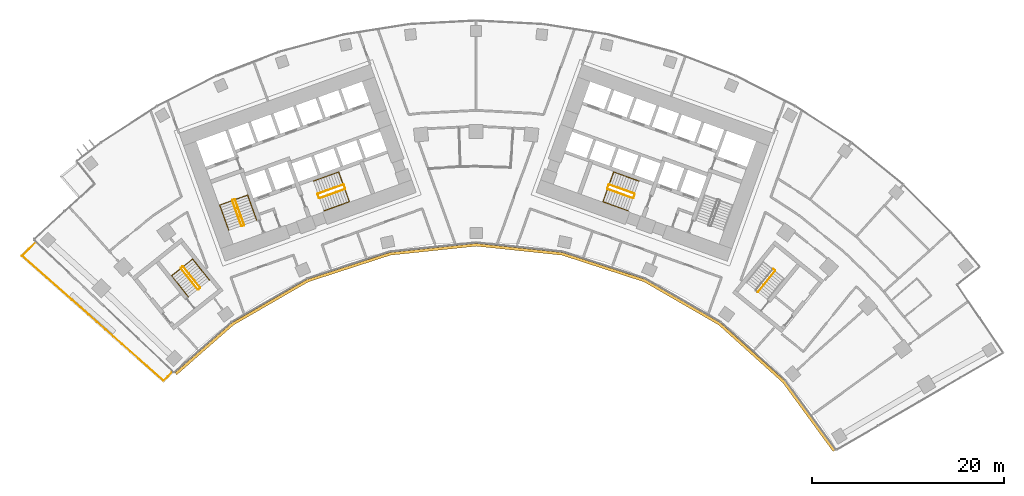
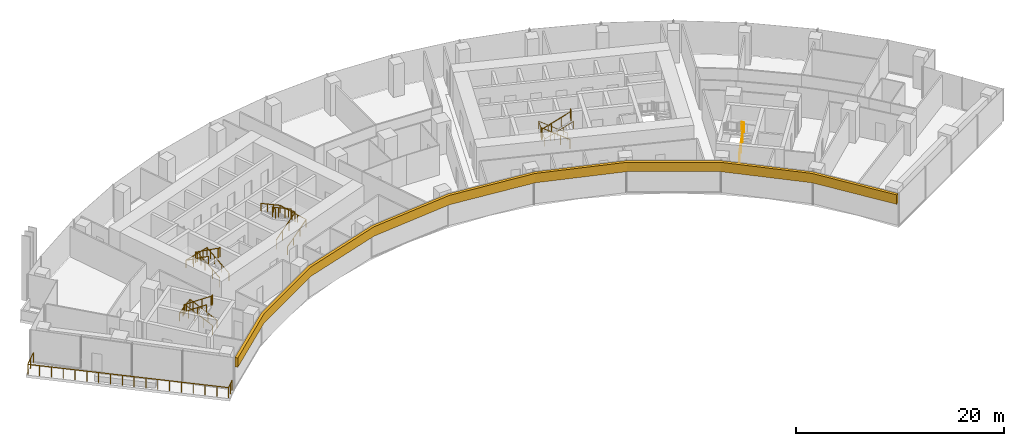
# One storey, part 19 of 20: 14 railings, 1 covering.
"""IFC4 building model written with IfcOpenShell, lengths in metres."""

from ifc_helpers import new_model, si_unit, direction, frame, origin, origin_2d, place, context, subcontext, project, spatial, polyline, circle, outline, extrude, material, layer, layer_set, type_object, element, save


model = new_model("IFC4")

# Units and contexts
model_context = context("Model", 3, precision=1e-05, world=origin(), true_north=direction((0.0, 1.0)))
body_context = subcontext(model_context, "Body", "Model", "MODEL_VIEW")
ifc_project = project(units=[si_unit("LENGTHUNIT", "METRE"), si_unit("AREAUNIT", "SQUARE_METRE"), si_unit("VOLUMEUNIT", "CUBIC_METRE"), si_unit("PLANEANGLEUNIT", "RADIAN"), si_unit("MASSUNIT", "GRAM", prefix="KILO")], contexts=[model_context])

# Site, building, storey
site_placement = place(None, origin())
site = spatial("IfcSite", under=ifc_project, at=site_placement, CompositionType="ELEMENT")
building_placement = place(site_placement, origin())
building = spatial("IfcBuilding", under=site, at=building_placement, Name="Stone Belt Terrace Tower", CompositionType="ELEMENT")
storey_placement = place(building_placement, frame((0.0, 0.0, 125.0)))
storey = spatial("IfcBuildingStorey", under=building, at=storey_placement, Name="L30", CompositionType="ELEMENT", Elevation=125.0)

# Railings
ifc_material_1 = material(Name="Structural steel C345", Category="steel")
railing_type_1 = type_object("IfcRailingType", Name="Stair guard 1100", PredefinedType="GUARDRAIL", material=ifc_material_1)
railing_1_placement = place(storey_placement, frame((-24.2119140625, 45.276123046875, 0.172607421875)))
element("IfcRailing", 1, at=railing_1_placement, inside=storey, type_object=railing_type_1, Name="L30 ST1A stair guard 1", PredefinedType="GUARDRAIL", context=body_context, shape_type="SweptSolid", body=[
    extrude(circle(Radius=0.02392578125, at=origin_2d()), frame((0.0, 0.0, 1.076171875), z_axis=(-0.288228637646, 0.800791768495, 0.525030280985), x_axis=(-0.940908529223, -0.338660803216, 0.0)), (0.0, 0.0, 1.0), 3.289794921875),
    extrude(circle(Radius=0.02392578125, at=origin_2d()), frame((-0.9482421875, 2.634521484375, 2.80322265625), z_axis=(-0.905209821074, 0.424964916, 0.0), x_axis=(-0.424964916, -0.905209821074, 0.0)), (0.0, 0.0, 1.0), 0.070556640625),
    extrude(circle(Radius=0.02392578125, at=origin_2d()), frame((-1.01220703125, 2.66455078125, 2.80322265625), z_axis=(-0.941105063269, -0.338114270461, 0.0), x_axis=(0.338114270461, -0.941105063269, 0.0)), (0.0, 0.0, 1.0), 0.199951171875),
    extrude(circle(Radius=0.02099609375, at=origin_2d()), origin(), (0.0, 0.0, 1.0), 1.052001953125),
    extrude(circle(Radius=0.02099609375, at=origin_2d()), frame((-0.316162109375, 0.878173828125, 0.57568359375)), (0.0, 0.0, 1.0), 1.052001953125),
    extrude(circle(Radius=0.02099609375, at=origin_2d()), frame((-0.632080078125, 1.75634765625, 1.151611328125)), (0.0, 0.0, 1.0), 1.052001953125),
    extrude(circle(Radius=0.02099609375, at=origin_2d()), frame((-0.9482421875, 2.634521484375, 1.727294921875)), (0.0, 0.0, 1.0), 1.052001953125),
    extrude(circle(Radius=0.02099609375, at=origin_2d()), frame((-1.01220703125, 2.66455078125, 1.727294921875)), (0.0, 0.0, 1.0), 1.052001953125),
    extrude(circle(Radius=0.02099609375, at=origin_2d()), frame((-1.200439453125, 2.596923828125, 1.727294921875)), (0.0, 0.0, 1.0), 1.052001953125),
])
railing_2_placement = place(storey_placement, frame((-25.4423828125, 47.80908203125, 2.07275390625)))
element("IfcRailing", 2, at=railing_2_placement, inside=storey, type_object=railing_type_1, Name="L30 ST1A stair guard 2", PredefinedType="GUARDRAIL", context=body_context, shape_type="SweptSolid", body=[
    extrude(circle(Radius=0.02392578125, at=origin_2d()), frame((0.0, 0.0, 1.076171875), z_axis=(0.288228637646, -0.800791768495, 0.525030280985), x_axis=(0.940908529223, 0.338660803216, 0.0)), (0.0, 0.0, 1.0), 3.289794921875),
    extrude(circle(Radius=0.02392578125, at=origin_2d()), frame((0.9482421875, -2.634521484375, 2.80322265625), z_axis=(0.903878284585, -0.427789722475, 0.0), x_axis=(0.427789722475, 0.903878284585, 0.0)), (0.0, 0.0, 1.0), 0.07080078125),
    extrude(circle(Radius=0.02392578125, at=origin_2d()), frame((1.01220703125, -2.664794921875, 2.80322265625), z_axis=(0.940575576748, 0.339584429008, 0.0), x_axis=(-0.339584429008, 0.940575576748, 0.0)), (0.0, 0.0, 1.0), 0.199951171875),
    extrude(circle(Radius=0.02099609375, at=origin_2d()), origin(), (0.0, 0.0, 1.0), 1.052001953125),
    extrude(circle(Radius=0.02099609375, at=origin_2d()), frame((0.316162109375, -0.878173828125, 0.57568359375)), (0.0, 0.0, 1.0), 1.052001953125),
    extrude(circle(Radius=0.02099609375, at=origin_2d()), frame((0.632080078125, -1.75634765625, 1.151611328125)), (0.0, 0.0, 1.0), 1.052001953125),
    extrude(circle(Radius=0.02099609375, at=origin_2d()), frame((0.9482421875, -2.634521484375, 1.727294921875)), (0.0, 0.0, 1.0), 1.052001953125),
    extrude(circle(Radius=0.02099609375, at=origin_2d()), frame((1.01220703125, -2.664794921875, 1.727294921875)), (0.0, 0.0, 1.0), 1.052001953125),
    extrude(circle(Radius=0.02099609375, at=origin_2d()), frame((1.2001953125, -2.596923828125, 1.727294921875)), (0.0, 0.0, 1.0), 1.052001953125),
])
railing_3_placement = place(storey_placement, frame((-16.33837890625, 48.056640625, 0.172607421875)))
element("IfcRailing", 3, at=railing_3_placement, inside=storey, type_object=railing_type_1, Name="L30 ST2A stair guard 1", PredefinedType="GUARDRAIL", context=body_context, shape_type="SweptSolid", body=[
    extrude(circle(Radius=0.02392578125, at=origin_2d()), frame((0.0, 0.0, 1.076171875), z_axis=(0.800808895155, 0.288160591223, 0.52504150989), x_axis=(-0.338583606334, 0.940936311087, 0.0)), (0.0, 0.0, 1.0), 3.289794921875),
    extrude(circle(Radius=0.02392578125, at=origin_2d()), frame((2.634521484375, 0.947998046875, 2.80322265625), z_axis=(0.427789722475, 0.903878284585, 0.0), x_axis=(-0.903878284585, 0.427789722475, 0.0)), (0.0, 0.0, 1.0), 0.07080078125),
    extrude(circle(Radius=0.02392578125, at=origin_2d()), frame((2.664794921875, 1.011962890625, 2.80322265625), z_axis=(-0.338654645739, 0.940910745459, 0.0), x_axis=(-0.940910745459, -0.338654645739, 0.0)), (0.0, 0.0, 1.0), 0.400146484375),
    extrude(circle(Radius=0.02099609375, at=origin_2d()), origin(), (0.0, 0.0, 1.0), 1.052001953125),
    extrude(circle(Radius=0.02099609375, at=origin_2d()), frame((0.878173828125, 0.31591796875, 0.57568359375)), (0.0, 0.0, 1.0), 1.052001953125),
    extrude(circle(Radius=0.02099609375, at=origin_2d()), frame((1.75634765625, 0.632080078125, 1.151611328125)), (0.0, 0.0, 1.0), 1.052001953125),
    extrude(circle(Radius=0.02099609375, at=origin_2d()), frame((2.634521484375, 0.947998046875, 1.727294921875)), (0.0, 0.0, 1.0), 1.052001953125),
    extrude(circle(Radius=0.02099609375, at=origin_2d()), frame((2.664794921875, 1.011962890625, 1.727294921875)), (0.0, 0.0, 1.0), 1.052001953125),
    extrude(circle(Radius=0.02099609375, at=origin_2d()), frame((2.529296875, 1.388427734375, 1.727294921875)), (0.0, 0.0, 1.0), 1.052001953125),
])
railing_4_placement = place(storey_placement, frame((-13.873046875, 49.47509765625, 2.07275390625)))
element("IfcRailing", 4, at=railing_4_placement, inside=storey, type_object=railing_type_1, Name="L30 ST2A stair guard 2", PredefinedType="GUARDRAIL", context=body_context, shape_type="SweptSolid", body=[
    extrude(circle(Radius=0.02392578125, at=origin_2d()), frame((0.0, 0.0, 1.076171875), z_axis=(-0.800808895155, -0.288160591223, 0.52504150989), x_axis=(0.338583606334, -0.940936311087, 0.0)), (0.0, 0.0, 1.0), 3.289794921875),
    extrude(circle(Radius=0.02392578125, at=origin_2d()), frame((-2.634521484375, -0.947998046875, 2.80322265625), z_axis=(-0.427789722475, -0.903878284585, 0.0), x_axis=(0.903878284585, -0.427789722475, 0.0)), (0.0, 0.0, 1.0), 0.07080078125),
    extrude(circle(Radius=0.02392578125, at=origin_2d()), frame((-2.664794921875, -1.011962890625, 2.80322265625), z_axis=(0.338654645739, -0.940910745459, 0.0), x_axis=(0.940910745459, 0.338654645739, 0.0)), (0.0, 0.0, 1.0), 0.400146484375),
    extrude(circle(Radius=0.02099609375, at=origin_2d()), origin(), (0.0, 0.0, 1.0), 1.052001953125),
    extrude(circle(Radius=0.02099609375, at=origin_2d()), frame((-0.878173828125, -0.31591796875, 0.57568359375)), (0.0, 0.0, 1.0), 1.052001953125),
    extrude(circle(Radius=0.02099609375, at=origin_2d()), frame((-1.75634765625, -0.632080078125, 1.151611328125)), (0.0, 0.0, 1.0), 1.052001953125),
    extrude(circle(Radius=0.02099609375, at=origin_2d()), frame((-2.634521484375, -0.947998046875, 1.727294921875)), (0.0, 0.0, 1.0), 1.052001953125),
    extrude(circle(Radius=0.02099609375, at=origin_2d()), frame((-2.664794921875, -1.011962890625, 1.727294921875)), (0.0, 0.0, 1.0), 1.052001953125),
    extrude(circle(Radius=0.02099609375, at=origin_2d()), frame((-2.529296875, -1.388427734375, 1.727294921875)), (0.0, 0.0, 1.0), 1.052001953125),
])
railing_5_placement = place(storey_placement, frame((16.507568359375, 48.527099609375, 0.172607421875)))
element("IfcRailing", 5, at=railing_5_placement, inside=storey, type_object=railing_type_1, Name="L30 ST2B stair guard 1", PredefinedType="GUARDRAIL", context=body_context, shape_type="SweptSolid", body=[
    extrude(circle(Radius=0.02392578125, at=origin_2d()), frame((0.0, 0.0, 1.076171875), z_axis=(-0.800808895155, 0.288160591223, 0.52504150989), x_axis=(-0.338583606334, -0.940936311087, 0.0)), (0.0, 0.0, 1.0), 3.289794921875),
    extrude(circle(Radius=0.02392578125, at=origin_2d()), frame((-2.634521484375, 0.947998046875, 2.80322265625), z_axis=(-0.905209821074, -0.424964916, 0.0), x_axis=(0.424964916, -0.905209821074, 0.0)), (0.0, 0.0, 1.0), 0.070556640625),
    extrude(circle(Radius=0.02392578125, at=origin_2d()), frame((-2.698486328125, 0.91796875, 2.80322265625), z_axis=(-0.338654645739, -0.940910745459, 0.0), x_axis=(0.940910745459, -0.338654645739, 0.0)), (0.0, 0.0, 1.0), 0.400146484375),
    extrude(circle(Radius=0.02099609375, at=origin_2d()), origin(), (0.0, 0.0, 1.0), 1.052001953125),
    extrude(circle(Radius=0.02099609375, at=origin_2d()), frame((-0.878173828125, 0.31591796875, 0.57568359375)), (0.0, 0.0, 1.0), 1.052001953125),
    extrude(circle(Radius=0.02099609375, at=origin_2d()), frame((-1.75634765625, 0.632080078125, 1.151611328125)), (0.0, 0.0, 1.0), 1.052001953125),
    extrude(circle(Radius=0.02099609375, at=origin_2d()), frame((-2.634521484375, 0.947998046875, 1.727294921875)), (0.0, 0.0, 1.0), 1.052001953125),
    extrude(circle(Radius=0.02099609375, at=origin_2d()), frame((-2.698486328125, 0.91796875, 1.727294921875)), (0.0, 0.0, 1.0), 1.052001953125),
    extrude(circle(Radius=0.02099609375, at=origin_2d()), frame((-2.833984375, 0.54150390625, 1.727294921875)), (0.0, 0.0, 1.0), 1.052001953125),
])
railing_6_placement = place(storey_placement, frame((13.703857421875, 49.004638671875, 2.07275390625)))
element("IfcRailing", 6, at=railing_6_placement, inside=storey, type_object=railing_type_1, Name="L30 ST2B stair guard 2", PredefinedType="GUARDRAIL", context=body_context, shape_type="SweptSolid", body=[
    extrude(circle(Radius=0.02392578125, at=origin_2d()), frame((0.0, 0.0, 1.076171875), z_axis=(0.800808895155, -0.288160591223, 0.52504150989), x_axis=(0.338583606334, 0.940936311087, 0.0)), (0.0, 0.0, 1.0), 3.289794921875),
    extrude(circle(Radius=0.02392578125, at=origin_2d()), frame((2.634521484375, -0.947998046875, 2.80322265625), z_axis=(0.905209821074, 0.424964916, 0.0), x_axis=(-0.424964916, 0.905209821074, 0.0)), (0.0, 0.0, 1.0), 0.070556640625),
    extrude(circle(Radius=0.02392578125, at=origin_2d()), frame((2.698486328125, -0.91796875, 2.80322265625), z_axis=(0.338654645739, 0.940910745459, 0.0), x_axis=(-0.940910745459, 0.338654645739, 0.0)), (0.0, 0.0, 1.0), 0.400146484375),
    extrude(circle(Radius=0.02099609375, at=origin_2d()), origin(), (0.0, 0.0, 1.0), 1.052001953125),
    extrude(circle(Radius=0.02099609375, at=origin_2d()), frame((0.878173828125, -0.31591796875, 0.57568359375)), (0.0, 0.0, 1.0), 1.052001953125),
    extrude(circle(Radius=0.02099609375, at=origin_2d()), frame((1.75634765625, -0.632080078125, 1.151611328125)), (0.0, 0.0, 1.0), 1.052001953125),
    extrude(circle(Radius=0.02099609375, at=origin_2d()), frame((2.634521484375, -0.947998046875, 1.727294921875)), (0.0, 0.0, 1.0), 1.052001953125),
    extrude(circle(Radius=0.02099609375, at=origin_2d()), frame((2.698486328125, -0.91796875, 1.727294921875)), (0.0, 0.0, 1.0), 1.052001953125),
    extrude(circle(Radius=0.02099609375, at=origin_2d()), frame((2.833984375, -0.54150390625, 1.727294921875)), (0.0, 0.0, 1.0), 1.052001953125),
])
railing_7_placement = place(storey_placement, frame((-28.814208984375, 38.734619140625, 0.172607421875)))
element("IfcRailing", 7, at=railing_7_placement, inside=storey, type_object=railing_type_1, Name="L30 ST3A stair guard 1", PredefinedType="GUARDRAIL", context=body_context, shape_type="SweptSolid", body=[
    extrude(circle(Radius=0.02392578125, at=origin_2d()), frame((0.0, 0.0, 1.076171875), z_axis=(-0.530306321799, 0.665665785969, 0.525037395288), x_axis=(-0.782143211408, -0.623098705543, 0.0)), (0.0, 0.0, 1.0), 3.289794921875),
    extrude(circle(Radius=0.02392578125, at=origin_2d()), frame((-1.74462890625, 2.18994140625, 2.80322265625), z_axis=(-0.993883734674, 0.110431526075, 0.0), x_axis=(-0.110431526075, -0.993883734674, 0.0)), (0.0, 0.0, 1.0), 0.07080078125),
    extrude(circle(Radius=0.02392578125, at=origin_2d()), frame((-1.81494140625, 2.19775390625, 2.80322265625), z_axis=(-0.782533463299, -0.622608527742, 0.0), x_axis=(0.622608527742, -0.782533463299, 0.0)), (0.0, 0.0, 1.0), 0.199951171875),
    extrude(circle(Radius=0.02099609375, at=origin_2d()), origin(), (0.0, 0.0, 1.0), 1.052001953125),
    extrude(circle(Radius=0.02099609375, at=origin_2d()), frame((-0.58154296875, 0.72998046875, 0.57568359375)), (0.0, 0.0, 1.0), 1.052001953125),
    extrude(circle(Radius=0.02099609375, at=origin_2d()), frame((-1.1630859375, 1.4599609375, 1.151611328125)), (0.0, 0.0, 1.0), 1.052001953125),
    extrude(circle(Radius=0.02099609375, at=origin_2d()), frame((-1.74462890625, 2.18994140625, 1.727294921875)), (0.0, 0.0, 1.0), 1.052001953125),
    extrude(circle(Radius=0.02099609375, at=origin_2d()), frame((-1.81494140625, 2.19775390625, 1.727294921875)), (0.0, 0.0, 1.0), 1.052001953125),
    extrude(circle(Radius=0.02099609375, at=origin_2d()), frame((-1.971435546875, 2.0732421875, 1.727294921875)), (0.0, 0.0, 1.0), 1.052001953125),
])
railing_8_placement = place(storey_placement, frame((-30.793701171875, 40.737548828125, 2.07275390625)))
element("IfcRailing", 8, at=railing_8_placement, inside=storey, type_object=railing_type_1, Name="L30 ST3A stair guard 2", PredefinedType="GUARDRAIL", context=body_context, shape_type="SweptSolid", body=[
    extrude(circle(Radius=0.02392578125, at=origin_2d()), frame((0.0, 0.0, 1.076171875), z_axis=(0.530359659125, -0.665639588968, 0.525016732659), x_axis=(0.782100716982, 0.62315204284, 0.0)), (0.0, 0.0, 1.0), 3.2900390625),
    extrude(circle(Radius=0.02392578125, at=origin_2d()), frame((1.744873046875, -2.18994140625, 2.80322265625), z_axis=(0.993499272973, -0.113838458361, 0.0), x_axis=(0.113838458361, 0.993499272973, 0.0)), (0.0, 0.0, 1.0), 0.07080078125),
    extrude(circle(Radius=0.02392578125, at=origin_2d()), frame((1.815185546875, -2.197998046875, 2.80322265625), z_axis=(0.781464082609, 0.623950228458, 0.0), x_axis=(-0.623950228458, 0.781464082609, 0.0)), (0.0, 0.0, 1.0), 0.199951171875),
    extrude(circle(Radius=0.02099609375, at=origin_2d()), origin(), (0.0, 0.0, 1.0), 1.052001953125),
    extrude(circle(Radius=0.02099609375, at=origin_2d()), frame((0.58154296875, -0.72998046875, 0.57568359375)), (0.0, 0.0, 1.0), 1.052001953125),
    extrude(circle(Radius=0.02099609375, at=origin_2d()), frame((1.163330078125, -1.4599609375, 1.151611328125)), (0.0, 0.0, 1.0), 1.052001953125),
    extrude(circle(Radius=0.02099609375, at=origin_2d()), frame((1.744873046875, -2.18994140625, 1.727294921875)), (0.0, 0.0, 1.0), 1.052001953125),
    extrude(circle(Radius=0.02099609375, at=origin_2d()), frame((1.815185546875, -2.197998046875, 1.727294921875)), (0.0, 0.0, 1.0), 1.052001953125),
    extrude(circle(Radius=0.02099609375, at=origin_2d()), frame((1.971435546875, -2.0732421875, 1.727294921875)), (0.0, 0.0, 1.0), 1.052001953125),
])
railing_9_placement = place(storey_placement, frame((29.39794921875, 38.281982421875, 0.172607421875)))
element("IfcRailing", 9, at=railing_9_placement, inside=storey, type_object=railing_type_1, Name="L30 ST3B stair guard 1", PredefinedType="GUARDRAIL", context=body_context, shape_type="SweptSolid", body=[
    extrude(circle(Radius=0.02392578125, at=origin_2d()), frame((0.0, 0.0, 1.076171875), z_axis=(0.536393061503, 0.660769759217, 0.525038864158), x_axis=(-0.776391310223, 0.630251166924, 0.0)), (0.0, 0.0, 1.0), 3.289794921875),
    extrude(circle(Radius=0.02392578125, at=origin_2d()), frame((1.7646484375, 2.173828125, 2.80322265625), z_axis=(-0.103251414163, 0.994655289773, 0.0), x_axis=(-0.994655289773, -0.103251414163, 0.0)), (0.0, 0.0, 1.0), 0.071044921875),
    extrude(circle(Radius=0.02392578125, at=origin_2d()), frame((1.75732421875, 2.244384765625, 2.80322265625), z_axis=(-0.776561986372, 0.630040856868, 0.0), x_axis=(-0.630040856868, -0.776561986372, 0.0)), (0.0, 0.0, 1.0), 0.199951171875),
    extrude(circle(Radius=0.02099609375, at=origin_2d()), origin(), (0.0, 0.0, 1.0), 1.052001953125),
    extrude(circle(Radius=0.02099609375, at=origin_2d()), frame((0.588134765625, 0.724609375, 0.57568359375)), (0.0, 0.0, 1.0), 1.052001953125),
    extrude(circle(Radius=0.02099609375, at=origin_2d()), frame((1.176513671875, 1.44921875, 1.151611328125)), (0.0, 0.0, 1.0), 1.052001953125),
    extrude(circle(Radius=0.02099609375, at=origin_2d()), frame((1.7646484375, 2.173828125, 1.727294921875)), (0.0, 0.0, 1.0), 1.052001953125),
    extrude(circle(Radius=0.02099609375, at=origin_2d()), frame((1.75732421875, 2.244384765625, 1.727294921875)), (0.0, 0.0, 1.0), 1.052001953125),
    extrude(circle(Radius=0.02099609375, at=origin_2d()), frame((1.60205078125, 2.370361328125, 1.727294921875)), (0.0, 0.0, 1.0), 1.052001953125),
])
railing_type_2 = type_object("IfcRailingType", Name="Stair handrail 900", PredefinedType="HANDRAIL", material=ifc_material_1)
railing_10_placement = place(storey_placement, frame((-22.894775390625, 45.750244140625, 0.172607421875)))
element("IfcRailing", 10, at=railing_10_placement, inside=storey, type_object=railing_type_2, Name="L30 ST1A stair handrail 1", PredefinedType="HANDRAIL", context=body_context, shape_type="SweptSolid", body=[
    extrude(circle(Radius=0.02392578125, at=origin_2d()), frame((0.0, 0.0, 0.8759765625), z_axis=(-0.288160591223, 0.800808895155, 0.52504150989), x_axis=(-0.940936311087, -0.338583606334, 0.0)), (0.0, 0.0, 1.0), 3.289794921875),
    extrude(circle(Radius=0.02392578125, at=origin_2d()), frame((-0.947998046875, 2.634521484375, 2.60302734375), z_axis=(-0.939460408074, -0.338105101667, 0.055669398135), x_axis=(0.338630230244, -0.940919532779, 0.0)), (0.0, 0.0, 1.0), 3.10498046875),
    extrude(circle(Radius=0.02392578125, at=origin_2d()), frame((-3.864990234375, 1.584716796875, 2.77587890625), z_axis=(0.288228637646, -0.800791768495, 0.525030280985), x_axis=(0.940908529223, 0.338660803216, 0.0)), (0.0, 0.0, 1.0), 3.289794921875),
    extrude(circle(Radius=0.02099609375, at=origin_2d()), origin(), (0.0, 0.0, 1.0), 0.851806640625),
    extrude(circle(Radius=0.02099609375, at=origin_2d()), frame((-0.31591796875, 0.878173828125, 0.57568359375)), (0.0, 0.0, 1.0), 0.851806640625),
    extrude(circle(Radius=0.02099609375, at=origin_2d()), frame((-0.632080078125, 1.75634765625, 1.151611328125)), (0.0, 0.0, 1.0), 0.851806640625),
    extrude(circle(Radius=0.02099609375, at=origin_2d()), frame((-0.947998046875, 2.634521484375, 1.727294921875)), (0.0, 0.0, 1.0), 0.851806640625),
    extrude(circle(Radius=0.02099609375, at=origin_2d()), frame((-1.92041015625, 2.28466796875, 1.784912109375)), (0.0, 0.0, 1.0), 0.851806640625),
    extrude(circle(Radius=0.02099609375, at=origin_2d()), frame((-2.892578125, 1.9345703125, 1.842529296875)), (0.0, 0.0, 1.0), 0.851806640625),
    extrude(circle(Radius=0.02099609375, at=origin_2d()), frame((-3.864990234375, 1.584716796875, 1.900146484375)), (0.0, 0.0, 1.0), 0.851806640625),
    extrude(circle(Radius=0.02099609375, at=origin_2d()), frame((-3.548828125, 0.70654296875, 2.475830078125)), (0.0, 0.0, 1.0), 0.851806640625),
    extrude(circle(Radius=0.02099609375, at=origin_2d()), frame((-3.23291015625, -0.171630859375, 3.0517578125)), (0.0, 0.0, 1.0), 0.851806640625),
    extrude(circle(Radius=0.02099609375, at=origin_2d()), frame((-2.916748046875, -1.0498046875, 3.62744140625)), (0.0, 0.0, 1.0), 0.851806640625),
])
railing_11_placement = place(storey_placement, frame((-15.8642578125, 46.7392578125, 0.172607421875)))
element("IfcRailing", 11, at=railing_11_placement, inside=storey, type_object=railing_type_2, Name="L30 ST2A stair handrail 1", PredefinedType="HANDRAIL", context=body_context, shape_type="SweptSolid", body=[
    extrude(circle(Radius=0.02392578125, at=origin_2d()), frame((0.0, 0.0, 0.8759765625), z_axis=(0.800791768495, 0.288228637646, 0.525030280985), x_axis=(-0.338660803216, 0.940908529223, 0.0)), (0.0, 0.0, 1.0), 3.289794921875),
    extrude(circle(Radius=0.02392578125, at=origin_2d()), frame((2.634521484375, 0.9482421875, 2.60302734375), z_axis=(-0.338158948057, 0.939634149308, 0.052308615955), x_axis=(-0.940922302781, -0.338622533404, 0.0)), (0.0, 0.0, 1.0), 3.304443359375),
    extrude(circle(Radius=0.02392578125, at=origin_2d()), frame((1.51708984375, 4.05322265625, 2.77587890625), z_axis=(-0.800791768495, -0.288228637646, 0.525030280985), x_axis=(0.338660803216, -0.940908529223, 0.0)), (0.0, 0.0, 1.0), 3.289794921875),
    extrude(circle(Radius=0.02099609375, at=origin_2d()), origin(), (0.0, 0.0, 1.0), 0.851806640625),
    extrude(circle(Radius=0.02099609375, at=origin_2d()), frame((0.878173828125, 0.316162109375, 0.57568359375)), (0.0, 0.0, 1.0), 0.851806640625),
    extrude(circle(Radius=0.02099609375, at=origin_2d()), frame((1.75634765625, 0.632080078125, 1.151611328125)), (0.0, 0.0, 1.0), 0.851806640625),
    extrude(circle(Radius=0.02099609375, at=origin_2d()), frame((2.634521484375, 0.9482421875, 1.727294921875)), (0.0, 0.0, 1.0), 0.851806640625),
    extrude(circle(Radius=0.02099609375, at=origin_2d()), frame((2.261962890625, 1.983154296875, 1.784912109375)), (0.0, 0.0, 1.0), 0.851806640625),
    extrude(circle(Radius=0.02099609375, at=origin_2d()), frame((1.8896484375, 3.018310546875, 1.842529296875)), (0.0, 0.0, 1.0), 0.851806640625),
    extrude(circle(Radius=0.02099609375, at=origin_2d()), frame((1.51708984375, 4.05322265625, 1.900146484375)), (0.0, 0.0, 1.0), 0.851806640625),
    extrude(circle(Radius=0.02099609375, at=origin_2d()), frame((0.638916015625, 3.737060546875, 2.475830078125)), (0.0, 0.0, 1.0), 0.851806640625),
    extrude(circle(Radius=0.02099609375, at=origin_2d()), frame((-0.2392578125, 3.421142578125, 3.0517578125)), (0.0, 0.0, 1.0), 0.851806640625),
    extrude(circle(Radius=0.02099609375, at=origin_2d()), frame((-1.117431640625, 3.10498046875, 3.62744140625)), (0.0, 0.0, 1.0), 0.851806640625),
])
railing_12_placement = place(storey_placement, frame((16.981689453125, 49.84423828125, 0.172607421875)))
element("IfcRailing", 12, at=railing_12_placement, inside=storey, type_object=railing_type_2, Name="L30 ST2B stair handrail 1", PredefinedType="HANDRAIL", context=body_context, shape_type="SweptSolid", body=[
    extrude(circle(Radius=0.02392578125, at=origin_2d()), frame((0.0, 0.0, 0.8759765625), z_axis=(-0.800791768495, 0.288228637646, 0.525030280985), x_axis=(-0.338660803216, -0.940908529223, 0.0)), (0.0, 0.0, 1.0), 3.289794921875),
    extrude(circle(Radius=0.02392578125, at=origin_2d()), frame((-2.634521484375, 0.9482421875, 2.60302734375), z_axis=(-0.338158948057, -0.939634149308, 0.052308615955), x_axis=(0.940922302781, -0.338622533404, 0.0)), (0.0, 0.0, 1.0), 3.304443359375),
    extrude(circle(Radius=0.02392578125, at=origin_2d()), frame((-3.751953125, -2.15673828125, 2.77587890625), z_axis=(0.800791768495, -0.288228637646, 0.525030280985), x_axis=(0.338660803216, 0.940908529223, 0.0)), (0.0, 0.0, 1.0), 3.289794921875),
    extrude(circle(Radius=0.02099609375, at=origin_2d()), origin(), (0.0, 0.0, 1.0), 0.851806640625),
    extrude(circle(Radius=0.02099609375, at=origin_2d()), frame((-0.878173828125, 0.316162109375, 0.57568359375)), (0.0, 0.0, 1.0), 0.851806640625),
    extrude(circle(Radius=0.02099609375, at=origin_2d()), frame((-1.75634765625, 0.632080078125, 1.151611328125)), (0.0, 0.0, 1.0), 0.851806640625),
    extrude(circle(Radius=0.02099609375, at=origin_2d()), frame((-2.634521484375, 0.9482421875, 1.727294921875)), (0.0, 0.0, 1.0), 0.851806640625),
    extrude(circle(Radius=0.02099609375, at=origin_2d()), frame((-3.007080078125, -0.086669921875, 1.784912109375)), (0.0, 0.0, 1.0), 0.851806640625),
    extrude(circle(Radius=0.02099609375, at=origin_2d()), frame((-3.37939453125, -1.121826171875, 1.842529296875)), (0.0, 0.0, 1.0), 0.851806640625),
    extrude(circle(Radius=0.02099609375, at=origin_2d()), frame((-3.751953125, -2.15673828125, 1.900146484375)), (0.0, 0.0, 1.0), 0.851806640625),
    extrude(circle(Radius=0.02099609375, at=origin_2d()), frame((-2.873779296875, -2.472900390625, 2.475830078125)), (0.0, 0.0, 1.0), 0.851806640625),
    extrude(circle(Radius=0.02099609375, at=origin_2d()), frame((-1.99560546875, -2.788818359375, 3.0517578125)), (0.0, 0.0, 1.0), 0.851806640625),
    extrude(circle(Radius=0.02099609375, at=origin_2d()), frame((-1.117431640625, -3.10498046875, 3.62744140625)), (0.0, 0.0, 1.0), 0.851806640625),
])
railing_13_placement = place(storey_placement, frame((-27.836669921875, 39.513427734375, 0.172607421875)))
element("IfcRailing", 13, at=railing_13_placement, inside=storey, type_object=railing_type_2, Name="L30 ST3A stair handrail 1", PredefinedType="HANDRAIL", context=body_context, shape_type="SweptSolid", body=[
    extrude(circle(Radius=0.02392578125, at=origin_2d()), frame((0.0, 0.0, 0.8759765625), z_axis=(-0.530306321799, 0.665665785969, 0.525037395288), x_axis=(-0.782143211408, -0.623098705543, 0.0)), (0.0, 0.0, 1.0), 3.289794921875),
    extrude(circle(Radius=0.02392578125, at=origin_2d()), frame((-1.74462890625, 2.18994140625, 2.60302734375), z_axis=(-0.78065703189, -0.621914732429, 0.061617076765), x_axis=(0.623098705543, -0.782143211408, 0.0)), (0.0, 0.0, 1.0), 2.80517578125),
    extrude(circle(Radius=0.02392578125, at=origin_2d()), frame((-3.9345703125, 0.4453125, 2.77587890625), z_axis=(0.530306321799, -0.665665785969, 0.525037395288), x_axis=(0.782143211408, 0.623098705543, 0.0)), (0.0, 0.0, 1.0), 3.289794921875),
    extrude(circle(Radius=0.02099609375, at=origin_2d()), origin(), (0.0, 0.0, 1.0), 0.851806640625),
    extrude(circle(Radius=0.02099609375, at=origin_2d()), frame((-0.58154296875, 0.72998046875, 0.57568359375)), (0.0, 0.0, 1.0), 0.851806640625),
    extrude(circle(Radius=0.02099609375, at=origin_2d()), frame((-1.1630859375, 1.4599609375, 1.151611328125)), (0.0, 0.0, 1.0), 0.851806640625),
    extrude(circle(Radius=0.02099609375, at=origin_2d()), frame((-1.74462890625, 2.18994140625, 1.727294921875)), (0.0, 0.0, 1.0), 0.851806640625),
    extrude(circle(Radius=0.02099609375, at=origin_2d()), frame((-2.474609375, 1.6083984375, 1.784912109375)), (0.0, 0.0, 1.0), 0.851806640625),
    extrude(circle(Radius=0.02099609375, at=origin_2d()), frame((-3.20458984375, 1.02685546875, 1.842529296875)), (0.0, 0.0, 1.0), 0.851806640625),
    extrude(circle(Radius=0.02099609375, at=origin_2d()), frame((-3.9345703125, 0.4453125, 1.900146484375)), (0.0, 0.0, 1.0), 0.851806640625),
    extrude(circle(Radius=0.02099609375, at=origin_2d()), frame((-3.35302734375, -0.28466796875, 2.475830078125)), (0.0, 0.0, 1.0), 0.851806640625),
    extrude(circle(Radius=0.02099609375, at=origin_2d()), frame((-2.771484375, -1.0146484375, 3.0517578125)), (0.0, 0.0, 1.0), 0.851806640625),
    extrude(circle(Radius=0.02099609375, at=origin_2d()), frame((-2.18994140625, -1.74462890625, 3.62744140625)), (0.0, 0.0, 1.0), 0.851806640625),
])
ifc_material_2 = material(Name="Stainless steel AISI 304", Category="steel")
railing_type_3 = type_object("IfcRailingType", Name="Terrace guard 1200", PredefinedType="GUARDRAIL", material=ifc_material_2)
railing_14_placement = place(storey_placement, frame((-45.947265625, 43.45361328125, 0.0)))
element("IfcRailing", 14, at=railing_14_placement, inside=storey, type_object=railing_type_3, Name="GUARD L30 1.1", PredefinedType="GUARDRAIL", context=body_context, shape_type="SweptSolid", body=[
    extrude(circle(Radius=0.02490234375, at=origin_2d()), frame((0.0, 0.0, 1.1748046875), z_axis=(-0.711176621105, -0.703013380807, 0.0), x_axis=(0.703013380807, -0.711176621105, 0.0)), (0.0, 0.0, 1.0), 2.00390625),
    extrude(circle(Radius=0.02490234375, at=origin_2d()), frame((-1.425048828125, -1.40869140625, 1.1748046875), z_axis=(0.749484593093, -0.662021785681, 0.0), x_axis=(0.662021785681, 0.749484593093, 0.0)), (0.0, 0.0, 1.0), 19.690185546875),
    extrude(circle(Radius=0.02490234375, at=origin_2d()), frame((13.33251953125, -14.444091796875, 1.1748046875), z_axis=(0.698615348238, 0.715497445982, 0.0), x_axis=(-0.715497445982, 0.698615348238, 0.0)), (0.0, 0.0, 1.0), 1.287109375),
    extrude(circle(Radius=0.02001953125, at=origin_2d()), origin(), (0.0, 0.0, 1.0), 1.14990234375),
    extrude(circle(Radius=0.02001953125, at=origin_2d()), frame((-0.71240234375, -0.704345703125, 0.0)), (0.0, 0.0, 1.0), 1.14990234375),
    extrude(circle(Radius=0.02001953125, at=origin_2d()), frame((-1.425048828125, -1.40869140625, 0.0)), (0.0, 0.0, 1.0), 1.14990234375),
    extrude(circle(Radius=0.02001953125, at=origin_2d()), frame((-0.556884765625, -2.175537109375, 0.0)), (0.0, 0.0, 1.0), 1.14990234375),
    extrude(circle(Radius=0.02001953125, at=origin_2d()), frame((0.31103515625, -2.9423828125, 0.0)), (0.0, 0.0, 1.0), 1.14990234375),
    extrude(circle(Radius=0.02001953125, at=origin_2d()), frame((1.17919921875, -3.708984375, 0.0)), (0.0, 0.0, 1.0), 1.14990234375),
    extrude(circle(Radius=0.02001953125, at=origin_2d()), frame((2.04736328125, -4.475830078125, 0.0)), (0.0, 0.0, 1.0), 1.14990234375),
    extrude(circle(Radius=0.02001953125, at=origin_2d()), frame((2.91552734375, -5.24267578125, 0.0)), (0.0, 0.0, 1.0), 1.14990234375),
    extrude(circle(Radius=0.02001953125, at=origin_2d()), frame((3.783447265625, -6.009521484375, 0.0)), (0.0, 0.0, 1.0), 1.14990234375),
    extrude(circle(Radius=0.02001953125, at=origin_2d()), frame((4.651611328125, -6.776123046875, 0.0)), (0.0, 0.0, 1.0), 1.14990234375),
    extrude(circle(Radius=0.02001953125, at=origin_2d()), frame((5.519775390625, -7.54296875, 0.0)), (0.0, 0.0, 1.0), 1.14990234375),
    extrude(circle(Radius=0.02001953125, at=origin_2d()), frame((6.3876953125, -8.309814453125, 0.0)), (0.0, 0.0, 1.0), 1.14990234375),
    extrude(circle(Radius=0.02001953125, at=origin_2d()), frame((7.255859375, -9.07666015625, 0.0)), (0.0, 0.0, 1.0), 1.14990234375),
    extrude(circle(Radius=0.02001953125, at=origin_2d()), frame((8.1240234375, -9.84326171875, 0.0)), (0.0, 0.0, 1.0), 1.14990234375),
    extrude(circle(Radius=0.02001953125, at=origin_2d()), frame((8.991943359375, -10.610107421875, 0.0)), (0.0, 0.0, 1.0), 1.14990234375),
    extrude(circle(Radius=0.02001953125, at=origin_2d()), frame((9.860107421875, -11.376953125, 0.0)), (0.0, 0.0, 1.0), 1.14990234375),
    extrude(circle(Radius=0.02001953125, at=origin_2d()), frame((10.728271484375, -12.143798828125, 0.0)), (0.0, 0.0, 1.0), 1.14990234375),
    extrude(circle(Radius=0.02001953125, at=origin_2d()), frame((11.596435546875, -12.910400390625, 0.0)), (0.0, 0.0, 1.0), 1.14990234375),
    extrude(circle(Radius=0.02001953125, at=origin_2d()), frame((12.46435546875, -13.67724609375, 0.0)), (0.0, 0.0, 1.0), 1.14990234375),
    extrude(circle(Radius=0.02001953125, at=origin_2d()), frame((13.33251953125, -14.444091796875, 0.0)), (0.0, 0.0, 1.0), 1.14990234375),
    extrude(circle(Radius=0.02001953125, at=origin_2d()), frame((13.7822265625, -13.983642578125, 0.0)), (0.0, 0.0, 1.0), 1.14990234375),
    extrude(circle(Radius=0.02001953125, at=origin_2d()), frame((14.231689453125, -13.523193359375, 0.0)), (0.0, 0.0, 1.0), 1.14990234375),
])

# Covering
ifc_material_3 = material(Name="Terracotta coloured glazed ceramic", Category="masonry")
ifc_layer = layer(ifc_material_3, 0.300048828125)
ifc_layer_set = layer_set([ifc_layer], Name="Terracotta spandrel band 300 x 1100")
covering_type = type_object("IfcCoveringType", Name="Terracotta spandrel band 300 x 1100", PredefinedType="CLADDING", material=ifc_layer_set)
covering_placement = place(storey_placement, frame((0.0, 0.0, 2.699951171875)))
element("IfcCovering", 15, at=covering_placement, inside=storey, type_object=covering_type, Name="BAND L30", PredefinedType="CLADDING", context=body_context, shape_type="SweptSolid", body=[
    extrude(outline(polyline([(-31.434814453125, 29.851806640625), (-25.48095703125, 35.06982421875), (-17.631591796875, 39.6015625), (-9.0126953125, 42.40185546875), (0.0, 43.34912109375), (9.0126953125, 42.40185546875), (17.631591796875, 39.6015625), (25.47998046875, 35.0703125), (32.21484375, 29.006103515625), (37.47314453125, 21.795654296875), (37.230712890625, 21.618896484375), (31.99072265625, 28.80419921875), (25.302734375, 34.826171875), (17.509033203125, 39.325927734375), (8.9501953125, 42.10693359375), (0.0, 43.047607421875), (-8.9501953125, 42.10693359375), (-17.509033203125, 39.325927734375), (-25.305419921875, 34.82470703125), (-31.237060546875, 29.626220703125), (-31.434814453125, 29.851806640625)])), origin(), (0.0, 0.0, 1.0), 1.10009765625),
])

save(model, "model.ifc")
